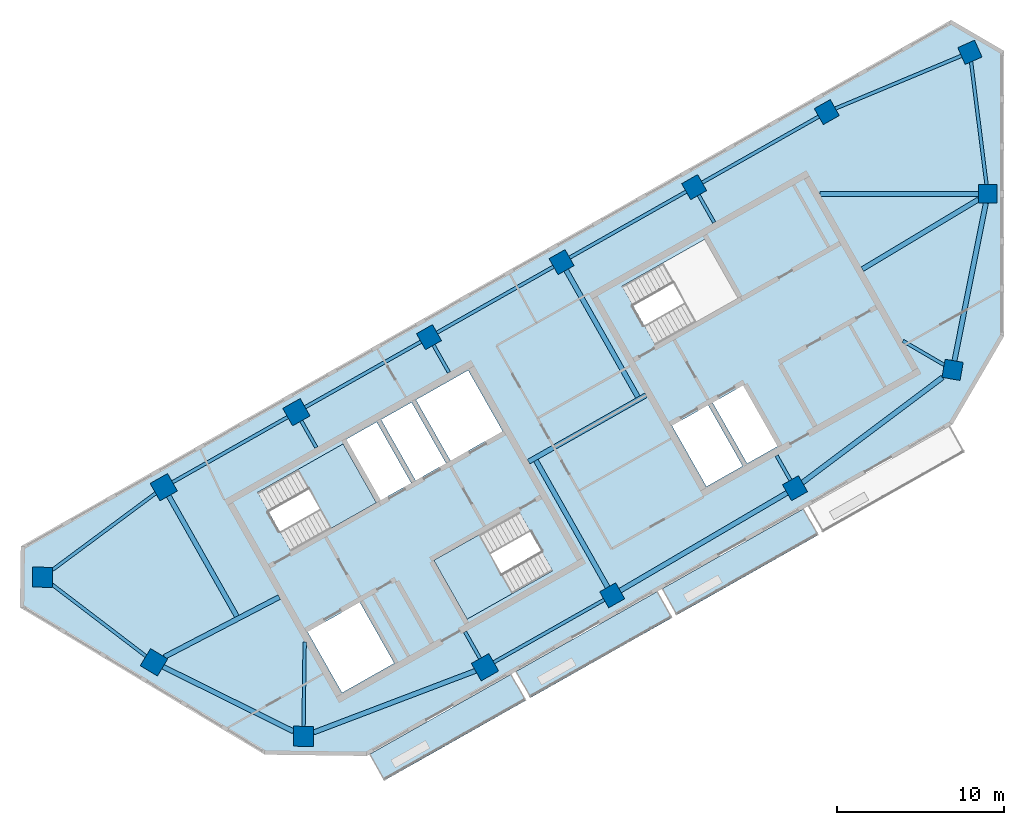
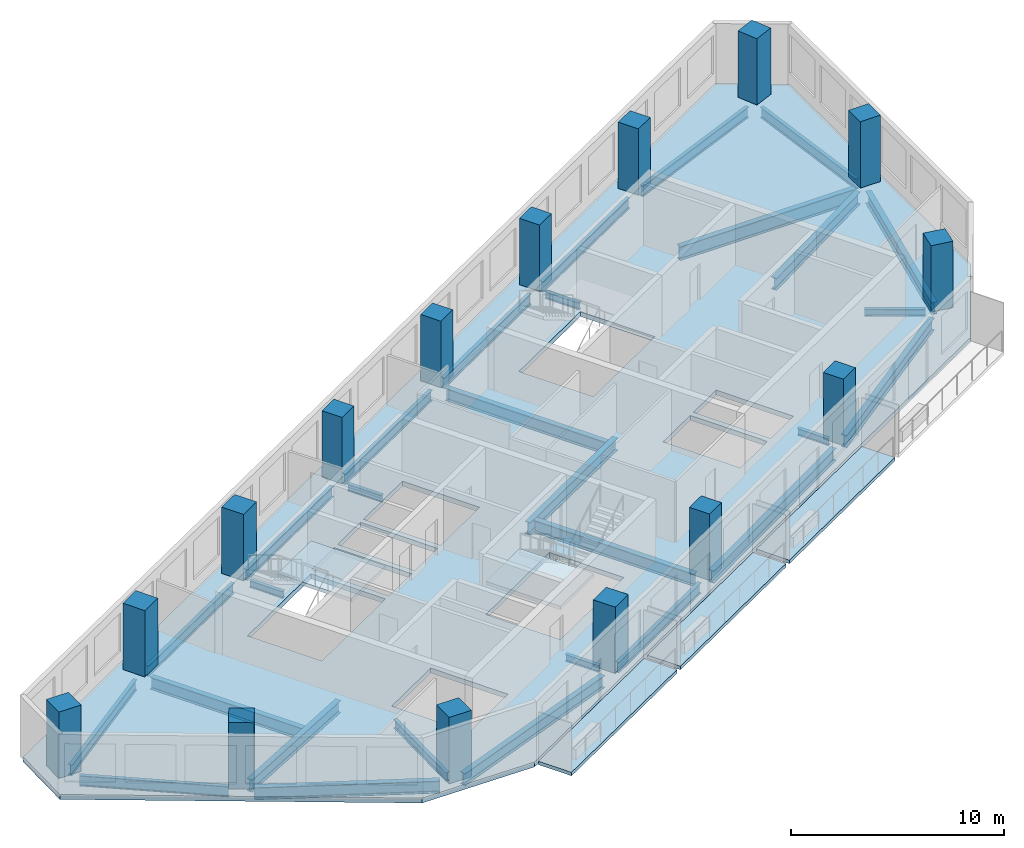
# One storey, part 1 of 7: 29 beams, 15 columns, 6 slabs, 2 elements without a shape of their own.
"""IFC4 building model written with IfcOpenShell, lengths in metres."""

from ifc_helpers import new_model, si_unit, direction, frame, origin, origin_2d, place, context, subcontext, project, spatial, polyline, rectangle, i_section, outline, extrude, material, layer, layer_set, material_profile, profile_set, type_object, element, aggregate, save


model = new_model("IFC4")

# Units and contexts
model_context = context("Model", 3, precision=1e-05, world=origin(), true_north=direction((0.0, 1.0)))
body_context = subcontext(model_context, "Body", "Model", "MODEL_VIEW")
ifc_project = project(units=[si_unit("LENGTHUNIT", "METRE"), si_unit("AREAUNIT", "SQUARE_METRE"), si_unit("VOLUMEUNIT", "CUBIC_METRE"), si_unit("PLANEANGLEUNIT", "RADIAN"), si_unit("MASSUNIT", "GRAM", prefix="KILO")], contexts=[model_context])

# Site, building, storey
site_placement = place(None, origin())
site = spatial("IfcSite", under=ifc_project, at=site_placement, CompositionType="ELEMENT")
building_placement = place(site_placement, origin())
building = spatial("IfcBuilding", under=site, at=building_placement, Name="Binnacle Exchange Tower", CompositionType="ELEMENT")
storey_placement = place(building_placement, frame((0.0, 0.0, 274.10009765625)))
storey = spatial("IfcBuildingStorey", under=building, at=storey_placement, Name="L61", CompositionType="ELEMENT", Elevation=274.10009765625)

# Columns
ifc_material_1 = material(Name="Concrete C60/75", Category="concrete")
ifc_material_profile_1 = material_profile(ifc_material_1, rectangle(XDim=1.10009765625, YDim=1.10009765625, at=origin_2d()), Name="Mega column 1100x1100 C60/75")
ifc_profile_set_1 = profile_set([ifc_material_profile_1], Name="Concrete C60/75")
column_type_1 = type_object("IfcColumnType", Name="Mega column 1100x1100 C60/75", PredefinedType="COLUMN", material=ifc_profile_set_1)
for number, where, z_axis, x_axis, name in (
    (1, (-10.4951171875, 64.901611328125, 0.0), (0.0, 0.0, 1.0), (-0.87035569594, -0.492423560103, 0.0), "S:COL:MC38:L61"),
    (2, (-18.44140625, 60.406005859375, 0.0), (0.0, 0.0, 1.0), (-0.87035569594, -0.492423560103, 0.0), "S:COL:MC29:L61"),
    (3, (-26.3876953125, 55.91015625, 0.0), (0.0, 0.0, 1.0), (-0.87035569594, -0.492423560103, 0.0), "S:COL:MC21:L61"),
    (4, (-34.333740234375, 51.414306640625, 0.0), (0.0, 0.0, 1.0), (-0.87035569594, -0.492423560103, 0.0), "S:COL:MC13:L61"),
    (5, (-23.35595703125, 35.9462890625, 0.0), (0.0, 0.0, 1.0), (0.87035569594, 0.492423560103, 0.0), "S:COL:MC16:L61"),
    (6, (-2.955322265625, 49.45556640625, 0.0), (0.0, 0.0, 1.0), (-0.98522612636, 0.171258517854, 0.0), "S:COL:MC43:L61"),
    (7, (-0.85009765625, 60.0, 0.0), (0.0, 0.0, 1.0), (0.0, 1.0, 0.0), "S:COL:MC45:L61"),
    (8, (-1.920166015625, 68.4833984375, 0.0), (0.0, 0.0, 1.0), (-0.91471298536, -0.40410413808, 0.0), "S:COL:MC44:L61"),
    (9, (-12.39990234375, 42.36328125, 0.0), (0.0, 0.0, 1.0), (0.87035569594, 0.492423560103, 0.0), "S:COL:MC30:L61"),
):
    element("IfcColumn", number, at=place(storey_placement, frame(where, z_axis=z_axis, x_axis=x_axis)), inside=storey, type_object=column_type_1, Name=name, PredefinedType="COLUMN", context=body_context, shape_type="SweptSolid", body=[
        extrude(rectangle(XDim=1.10009765625, YDim=1.10009765625, at=origin_2d()), origin(), (0.0, 0.0, 1.0), 3.7998046875),
    ])
ifc_material_profile_2 = material_profile(ifc_material_1, rectangle(XDim=1.199951171875, YDim=1.199951171875, at=origin_2d()), Name="Mega column 1200x1200 C60/75")
ifc_profile_set_2 = profile_set([ifc_material_profile_2], Name="Concrete C60/75")
column_type_2 = type_object("IfcColumnType", Name="Mega column 1200x1200 C60/75", PredefinedType="COLUMN", material=ifc_profile_set_2)
for number, where, z_axis, x_axis, name in (
    (10, (-42.280029296875, 46.918701171875, 0.0), (0.0, 0.0, 1.0), (-0.87035569594, -0.492423560103, 0.0), "S:COL:MC08:L61"),
    (11, (-50.226318359375, 42.4228515625, 0.0), (0.0, 0.0, 1.0), (-0.87035569594, -0.492423560103, 0.0), "S:COL:MC04:L61"),
    (12, (-57.492919921875, 37.02734375, 0.0), (0.0, 0.0, 1.0), (-0.013089595571, -0.999914327574, 0.0), "S:COL:MC02:L61"),
    (13, (-50.81201171875, 31.930908203125, 0.0), (0.0, 0.0, 1.0), (0.857167300702, -0.51503807491, 0.0), "S:COL:MC01:L61"),
    (14, (-41.857666015625, 27.494873046875, 0.0), (0.0, 0.0, 1.0), (0.999914327574, -0.013089595571, 0.0), "S:COL:MC03:L61"),
    (15, (-30.9755859375, 31.63525390625, 0.0), (0.0, 0.0, 1.0), (0.87035569594, 0.492423560103, 0.0), "S:COL:MC07:L61"),
):
    element("IfcColumn", number, at=place(storey_placement, frame(where, z_axis=z_axis, x_axis=x_axis)), inside=storey, type_object=column_type_2, Name=name, PredefinedType="COLUMN", context=body_context, shape_type="SweptSolid", body=[
        extrude(rectangle(XDim=1.199951171875, YDim=1.199951171875, at=origin_2d()), origin(), (0.0, 0.0, 1.0), 3.7998046875),
    ])

# Beams
ifc_material_2 = material(Name="Steel S355 (SHN355)", Category="steel")
ifc_material_profile_3 = material_profile(ifc_material_2, i_section(OverallWidth=0.199951171875, OverallDepth=0.60009765625, WebThickness=0.010986328125, FlangeThickness=0.01708984375, FilletRadius=0.02197265625, at=origin_2d()), Name="H 600x200x11x17")
ifc_profile_set_3 = profile_set([ifc_material_profile_3], Name="Steel S355 (SHN355)")
beam_type_1 = type_object("IfcBeamType", Name="Edge girder H 600x200x11x17 Steel S355 (SHN355)", PredefinedType="SPANDREL", material=ifc_profile_set_3)
beam_1_placement = place(storey_placement, frame((-56.89892578125, 36.57421875, -0.580078125), z_axis=(0.795079526259, -0.606505191176, 0.0), x_axis=(0.606505191176, 0.795079526259, 0.0)))
element("IfcBeam", 16, at=beam_1_placement, inside=storey, type_object=beam_type_1, Name="S:BM:edge:L61:004", PredefinedType="SPANDREL", context=body_context, shape_type="SweptSolid", body=[
    extrude(i_section(OverallWidth=0.199951171875, OverallDepth=0.60009765625, WebThickness=0.010986328125, FlangeThickness=0.01708984375, FilletRadius=0.02197265625, at=origin_2d()), origin(), (0.0, 0.0, 1.0), 7.052001953125),
])
ifc_material_profile_4 = material_profile(ifc_material_2, i_section(OverallWidth=0.200927734375, OverallDepth=0.60595703125, WebThickness=0.011962890625, FlangeThickness=0.02001953125, FilletRadius=0.02197265625, at=origin_2d()), Name="H 606x201x12x20")
ifc_profile_set_4 = profile_set([ifc_material_profile_4], Name="Steel S355 (SHN355)")
beam_type_2 = type_object("IfcBeamType", Name="Edge girder H 606x201x12x20 Steel S355 (SHN355)", PredefinedType="SPANDREL", material=ifc_profile_set_4)
beam_2_placement = place(storey_placement, frame((-50.711669921875, 42.0625, -0.5830078125), z_axis=(-0.802889255085, -0.596128211099, 0.0), x_axis=(0.596128211099, -0.802889255085, 0.0)))
element("IfcBeam", 17, at=beam_2_placement, inside=storey, type_object=beam_type_2, Name="S:BM:edge:L61:005", PredefinedType="SPANDREL", context=body_context, shape_type="SweptSolid", body=[
    extrude(i_section(OverallWidth=0.200927734375, OverallDepth=0.60595703125, WebThickness=0.011962890625, FlangeThickness=0.02001953125, FilletRadius=0.02197265625, at=origin_2d()), origin(), (0.0, 0.0, 1.0), 7.691650390625),
])
beam_3_placement = place(storey_placement, frame((-30.453369140625, 31.930908203125, -0.5830078125), z_axis=(0.870370831478, 0.49239680717, 0.0), x_axis=(-0.49239680717, 0.870370831478, 0.0)))
element("IfcBeam", 18, at=beam_3_placement, inside=storey, type_object=beam_type_2, Name="S:BM:edge:L61:010", PredefinedType="SPANDREL", context=body_context, shape_type="SweptSolid", body=[
    extrude(i_section(OverallWidth=0.200927734375, OverallDepth=0.60595703125, WebThickness=0.011962890625, FlangeThickness=0.02001953125, FilletRadius=0.02197265625, at=origin_2d()), origin(), (0.0, 0.0, 1.0), 7.6044921875),
])
beam_4_placement = place(storey_placement, frame((-0.91943359375, 60.550048828125, -0.5830078125), z_axis=(-0.125160121745, 0.992136555079, 0.0), x_axis=(-0.992136555079, -0.125160121745, 0.0)))
element("IfcBeam", 19, at=beam_4_placement, inside=storey, type_object=beam_type_2, Name="S:BM:edge:L61:018", PredefinedType="SPANDREL", context=body_context, shape_type="SweptSolid", body=[
    extrude(i_section(OverallWidth=0.200927734375, OverallDepth=0.60595703125, WebThickness=0.011962890625, FlangeThickness=0.02001953125, FilletRadius=0.02197265625, at=origin_2d()), origin(), (0.0, 0.0, 1.0), 7.422119140625),
])
ifc_material_profile_5 = material_profile(ifc_material_2, i_section(OverallWidth=0.201904296875, OverallDepth=0.612060546875, WebThickness=0.012939453125, FlangeThickness=0.02294921875, FilletRadius=0.02197265625, at=origin_2d()), Name="H 612x202x13x23")
ifc_profile_set_5 = profile_set([ifc_material_profile_5], Name="Steel S355 (SHN355)")
beam_type_3 = type_object("IfcBeamType", Name="Edge girder H 612x202x13x23 Steel S355 (SHN355)", PredefinedType="SPANDREL", material=ifc_profile_set_5)
beam_5_placement = place(storey_placement, frame((-42.80224609375, 46.623291015625, -0.586181640625), z_axis=(-0.870360926906, -0.492414314288, 0.0), x_axis=(0.492414314288, -0.870360926906, 0.0)))
element("IfcBeam", 20, at=beam_5_placement, inside=storey, type_object=beam_type_3, Name="S:BM:edge:L61:007", PredefinedType="SPANDREL", context=body_context, shape_type="SweptSolid", body=[
    extrude(i_section(OverallWidth=0.201904296875, OverallDepth=0.612060546875, WebThickness=0.012939453125, FlangeThickness=0.02294921875, FilletRadius=0.02197265625, at=origin_2d()), origin(), (0.0, 0.0, 1.0), 7.929931640625),
])
beam_6_placement = place(storey_placement, frame((-34.8125, 51.1435546875, -0.586181640625), z_axis=(-0.870357059543, -0.492421149935, 0.0), x_axis=(0.492421149935, -0.870357059543, 0.0)))
element("IfcBeam", 21, at=beam_6_placement, inside=storey, type_object=beam_type_3, Name="S:BM:edge:L61:009", PredefinedType="SPANDREL", context=body_context, shape_type="SweptSolid", body=[
    extrude(i_section(OverallWidth=0.201904296875, OverallDepth=0.612060546875, WebThickness=0.012939453125, FlangeThickness=0.02294921875, FilletRadius=0.02197265625, at=origin_2d()), origin(), (0.0, 0.0, 1.0), 7.979736328125),
])
beam_7_placement = place(storey_placement, frame((-26.8662109375, 55.639404296875, -0.586181640625), z_axis=(-0.870353240257, -0.492427900482, 0.0), x_axis=(0.492427900482, -0.870353240257, 0.0)))
element("IfcBeam", 22, at=beam_7_placement, inside=storey, type_object=beam_type_3, Name="S:BM:edge:L61:011", PredefinedType="SPANDREL", context=body_context, shape_type="SweptSolid", body=[
    extrude(i_section(OverallWidth=0.201904296875, OverallDepth=0.612060546875, WebThickness=0.012939453125, FlangeThickness=0.02294921875, FilletRadius=0.02197265625, at=origin_2d()), origin(), (0.0, 0.0, 1.0), 8.02978515625),
])
beam_8_placement = place(storey_placement, frame((-18.919921875, 60.13525390625, -0.586181640625), z_axis=(-0.870347582166, -0.492437900875, 0.0), x_axis=(0.492437900875, -0.870347582166, 0.0)))
element("IfcBeam", 23, at=beam_8_placement, inside=storey, type_object=beam_type_3, Name="S:BM:edge:L61:013", PredefinedType="SPANDREL", context=body_context, shape_type="SweptSolid", body=[
    extrude(i_section(OverallWidth=0.201904296875, OverallDepth=0.612060546875, WebThickness=0.012939453125, FlangeThickness=0.02294921875, FilletRadius=0.02197265625, at=origin_2d()), origin(), (0.0, 0.0, 1.0), 8.030029296875),
])
beam_9_placement = place(storey_placement, frame((-10.973876953125, 64.630859375, -0.586181640625), z_axis=(-0.870353240257, -0.492427900482, 0.0), x_axis=(0.492427900482, -0.870353240257, 0.0)))
element("IfcBeam", 24, at=beam_9_placement, inside=storey, type_object=beam_type_3, Name="S:BM:edge:L61:015", PredefinedType="SPANDREL", context=body_context, shape_type="SweptSolid", body=[
    extrude(i_section(OverallWidth=0.201904296875, OverallDepth=0.612060546875, WebThickness=0.012939453125, FlangeThickness=0.02294921875, FilletRadius=0.02197265625, at=origin_2d()), origin(), (0.0, 0.0, 1.0), 8.02978515625),
])
beam_10_placement = place(storey_placement, frame((-2.427734375, 68.271240234375, -0.586181640625), z_axis=(-0.922746687756, -0.385406992977, 0.0), x_axis=(0.385406992977, -0.922746687756, 0.0)))
element("IfcBeam", 25, at=beam_10_placement, inside=storey, type_object=beam_type_3, Name="S:BM:edge:L61:017", PredefinedType="SPANDREL", context=body_context, shape_type="SweptSolid", body=[
    extrude(i_section(OverallWidth=0.201904296875, OverallDepth=0.612060546875, WebThickness=0.012939453125, FlangeThickness=0.02294921875, FilletRadius=0.02197265625, at=origin_2d()), origin(), (0.0, 0.0, 1.0), 8.188720703125),
])
ifc_material_profile_6 = material_profile(ifc_material_2, i_section(OverallWidth=0.300048828125, OverallDepth=0.699951171875, WebThickness=0.012939453125, FlangeThickness=0.02392578125, FilletRadius=0.028076171875, at=origin_2d()), Name="H 700x300x13x24")
ifc_profile_set_6 = profile_set([ifc_material_profile_6], Name="Steel S355 (SHN355)")
beam_type_4 = type_object("IfcBeamType", Name="Edge girder H 700x300x13x24 Steel S355 (SHN355)", PredefinedType="SPANDREL", material=ifc_profile_set_6)
beam_11_placement = place(storey_placement, frame((-50.272705078125, 31.663818359375, -0.630126953125), z_axis=(0.896066323919, -0.443920199066, 0.0), x_axis=(0.443920199066, 0.896066323919, 0.0)))
element("IfcBeam", 26, at=beam_11_placement, inside=storey, type_object=beam_type_4, Name="S:BM:edge:L61:006", PredefinedType="SPANDREL", context=body_context, shape_type="SweptSolid", body=[
    extrude(i_section(OverallWidth=0.300048828125, OverallDepth=0.699951171875, WebThickness=0.012939453125, FlangeThickness=0.02392578125, FilletRadius=0.028076171875, at=origin_2d()), origin(), (0.0, 0.0, 1.0), 8.725830078125),
])
beam_12_placement = place(storey_placement, frame((-41.254638671875, 27.724365234375, -0.630126953125), z_axis=(0.934635421438, 0.355607408519, 0.0), x_axis=(-0.355607408519, 0.934635421438, 0.0)))
element("IfcBeam", 27, at=beam_12_placement, inside=storey, type_object=beam_type_4, Name="S:BM:edge:L61:008", PredefinedType="SPANDREL", context=body_context, shape_type="SweptSolid", body=[
    extrude(i_section(OverallWidth=0.300048828125, OverallDepth=0.699951171875, WebThickness=0.012939453125, FlangeThickness=0.02392578125, FilletRadius=0.028076171875, at=origin_2d()), origin(), (0.0, 0.0, 1.0), 10.390869140625),
])
beam_13_placement = place(storey_placement, frame((-11.95654296875, 42.6962890625, -0.630126953125), z_axis=(0.799642767002, 0.600476015493, 0.0), x_axis=(-0.600476015493, 0.799642767002, 0.0)))
element("IfcBeam", 28, at=beam_13_placement, inside=storey, type_object=beam_type_4, Name="S:BM:edge:L61:014", PredefinedType="SPANDREL", context=body_context, shape_type="SweptSolid", body=[
    extrude(i_section(OverallWidth=0.300048828125, OverallDepth=0.699951171875, WebThickness=0.012939453125, FlangeThickness=0.02392578125, FilletRadius=0.028076171875, at=origin_2d()), origin(), (0.0, 0.0, 1.0), 10.50146484375),
])
beam_14_placement = place(storey_placement, frame((-2.84765625, 49.9951171875, -0.630126953125), z_axis=(0.195814210945, 0.980641012191, 0.0), x_axis=(-0.980641012191, 0.195814210945, 0.0)))
element("IfcBeam", 29, at=beam_14_placement, inside=storey, type_object=beam_type_4, Name="S:BM:edge:L61:016", PredefinedType="SPANDREL", context=body_context, shape_type="SweptSolid", body=[
    extrude(i_section(OverallWidth=0.300048828125, OverallDepth=0.699951171875, WebThickness=0.012939453125, FlangeThickness=0.02392578125, FilletRadius=0.028076171875, at=origin_2d()), origin(), (0.0, 0.0, 1.0), 9.6416015625),
])
ifc_material_profile_7 = material_profile(ifc_material_2, i_section(OverallWidth=0.302001953125, OverallDepth=0.7080078125, WebThickness=0.014892578125, FlangeThickness=0.028076171875, FilletRadius=0.028076171875, at=origin_2d()), Name="H 708x302x15x28")
ifc_profile_set_7 = profile_set([ifc_material_profile_7], Name="Steel S355 (SHN355)")
beam_type_5 = type_object("IfcBeamType", Name="Edge girder H 708x302x15x28 Steel S355 (SHN355)", PredefinedType="SPANDREL", material=ifc_profile_set_7)
beam_15_placement = place(storey_placement, frame((-22.88134765625, 36.22412109375, -0.634033203125), z_axis=(0.86288572191, 0.50539908085, 0.0), x_axis=(-0.50539908085, 0.86288572191, 0.0)))
element("IfcBeam", 30, at=beam_15_placement, inside=storey, type_object=beam_type_5, Name="S:BM:edge:L61:012", PredefinedType="SPANDREL", context=body_context, shape_type="SweptSolid", body=[
    extrude(i_section(OverallWidth=0.302001953125, OverallDepth=0.7080078125, WebThickness=0.014892578125, FlangeThickness=0.028076171875, FilletRadius=0.028076171875, at=origin_2d()), origin(), (0.0, 0.0, 1.0), 11.596923828125),
])
ifc_material_profile_8 = material_profile(ifc_material_2, i_section(OverallWidth=0.199951171875, OverallDepth=0.39990234375, WebThickness=0.008056640625, FlangeThickness=0.012939453125, FilletRadius=0.01611328125, at=origin_2d()), Name="H 400x200x8x13")
ifc_profile_set_8 = profile_set([ifc_material_profile_8], Name="Steel S355 (SHN355)")
beam_type_6 = type_object("IfcBeamType", Name="Floor beam H 400x200x8x13 Steel S355 (SHN355)", PredefinedType="BEAM", material=ifc_profile_set_8)
beam_16_placement = place(storey_placement, frame((-41.984619140625, 46.396484375, -0.47998046875), z_axis=(0.492465079532, -0.87033220407, 0.0), x_axis=(0.87033220407, 0.492465079532, 0.0)))
element("IfcBeam", 31, at=beam_16_placement, inside=storey, type_object=beam_type_6, Name="S:BM:cross:L61:020", PredefinedType="BEAM", context=body_context, shape_type="SweptSolid", body=[
    extrude(i_section(OverallWidth=0.199951171875, OverallDepth=0.39990234375, WebThickness=0.008056640625, FlangeThickness=0.012939453125, FilletRadius=0.01611328125, at=origin_2d()), origin(), (0.0, 0.0, 1.0), 1.834228515625),
])
beam_17_placement = place(storey_placement, frame((-34.06298828125, 50.935791015625, -0.47998046875), z_axis=(0.492437150105, -0.870348006947, 0.0), x_axis=(0.870348006947, 0.492437150105, 0.0)))
element("IfcBeam", 32, at=beam_17_placement, inside=storey, type_object=beam_type_6, Name="S:BM:cross:L61:022", PredefinedType="BEAM", context=body_context, shape_type="SweptSolid", body=[
    extrude(i_section(OverallWidth=0.199951171875, OverallDepth=0.39990234375, WebThickness=0.008056640625, FlangeThickness=0.012939453125, FilletRadius=0.01611328125, at=origin_2d()), origin(), (0.0, 0.0, 1.0), 1.884521484375),
])
beam_18_placement = place(storey_placement, frame((-31.27099609375, 32.157470703125, -0.47998046875), z_axis=(-0.492465079532, 0.87033220407, 0.0), x_axis=(-0.87033220407, -0.492465079532, 0.0)))
element("IfcBeam", 33, at=beam_18_placement, inside=storey, type_object=beam_type_6, Name="S:BM:cross:L61:023", PredefinedType="BEAM", context=body_context, shape_type="SweptSolid", body=[
    extrude(i_section(OverallWidth=0.199951171875, OverallDepth=0.39990234375, WebThickness=0.008056640625, FlangeThickness=0.012939453125, FilletRadius=0.01611328125, at=origin_2d()), origin(), (0.0, 0.0, 1.0), 1.834228515625),
])
beam_19_placement = place(storey_placement, frame((-18.17041015625, 59.92724609375, -0.47998046875), z_axis=(0.492394529663, -0.870372119934, 0.0), x_axis=(0.870372119934, 0.492394529663, 0.0)))
element("IfcBeam", 34, at=beam_19_placement, inside=storey, type_object=beam_type_6, Name="S:BM:cross:L61:026", PredefinedType="BEAM", context=body_context, shape_type="SweptSolid", body=[
    extrude(i_section(OverallWidth=0.199951171875, OverallDepth=0.39990234375, WebThickness=0.008056640625, FlangeThickness=0.012939453125, FilletRadius=0.01611328125, at=origin_2d()), origin(), (0.0, 0.0, 1.0), 1.884033203125),
])
beam_20_placement = place(storey_placement, frame((-12.6708984375, 42.841796875, -0.47998046875), z_axis=(-0.492394350893, 0.870372221069, 0.0), x_axis=(-0.870372221069, -0.492394350893, 0.0)))
element("IfcBeam", 35, at=beam_20_placement, inside=storey, type_object=beam_type_6, Name="S:BM:cross:L61:027", PredefinedType="BEAM", context=body_context, shape_type="SweptSolid", body=[
    extrude(i_section(OverallWidth=0.199951171875, OverallDepth=0.39990234375, WebThickness=0.008056640625, FlangeThickness=0.012939453125, FilletRadius=0.01611328125, at=origin_2d()), origin(), (0.0, 0.0, 1.0), 1.6943359375),
])
beam_21_placement = place(storey_placement, frame((-3.46240234375, 49.751220703125, -0.47998046875), z_axis=(-0.863840862356, 0.503764790874, 0.0), x_axis=(-0.503764790874, -0.863840862356, 0.0)))
element("IfcBeam", 36, at=beam_21_placement, inside=storey, type_object=beam_type_6, Name="S:BM:cross:L61:028", PredefinedType="BEAM", context=body_context, shape_type="SweptSolid", body=[
    extrude(i_section(OverallWidth=0.199951171875, OverallDepth=0.39990234375, WebThickness=0.008056640625, FlangeThickness=0.012939453125, FilletRadius=0.01611328125, at=origin_2d()), origin(), (0.0, 0.0, 1.0), 2.85791015625),
])
ifc_material_profile_9 = material_profile(ifc_material_2, i_section(OverallWidth=0.200927734375, OverallDepth=0.506103515625, WebThickness=0.010986328125, FlangeThickness=0.01904296875, FilletRadius=0.02001953125, at=origin_2d()), Name="H 506x201x11x19")
ifc_profile_set_9 = profile_set([ifc_material_profile_9], Name="Steel S355 (SHN355)")
beam_type_7 = type_object("IfcBeamType", Name="Floor beam H 506x201x11x19 Steel S355 (SHN355)", PredefinedType="BEAM", material=ifc_profile_set_9)
beam_22_placement = place(storey_placement, frame((-41.849853515625, 28.0947265625, -0.533203125), z_axis=(0.013099523714, 0.999914197558, 0.0), x_axis=(-0.999914197558, 0.013099523714, 0.0)))
element("IfcBeam", 37, at=beam_22_placement, inside=storey, type_object=beam_type_7, Name="S:BM:cross:L61:021", PredefinedType="BEAM", context=body_context, shape_type="SweptSolid", body=[
    extrude(i_section(OverallWidth=0.200927734375, OverallDepth=0.506103515625, WebThickness=0.010986328125, FlangeThickness=0.01904296875, FilletRadius=0.02001953125, at=origin_2d()), origin(), (0.0, 0.0, 1.0), 5.05078125),
])
ifc_material_profile_10 = material_profile(ifc_material_2, i_section(OverallWidth=0.300048828125, OverallDepth=0.699951171875, WebThickness=0.012939453125, FlangeThickness=0.02392578125, FilletRadius=0.028076171875, at=origin_2d()), Name="H 700x300x13x24")
ifc_profile_set_10 = profile_set([ifc_material_profile_10], Name="Steel S355 (SHN355)")
beam_type_8 = type_object("IfcBeamType", Name="Floor beam H 700x300x13x24 Steel S355 (SHN355)", PredefinedType="BEAM", material=ifc_profile_set_10)
beam_23_placement = place(storey_placement, frame((-49.9306640625, 41.900634765625, -0.630126953125), z_axis=(0.492421066821, -0.870357106566, 0.0), x_axis=(0.870357106566, 0.492421066821, 0.0)))
element("IfcBeam", 38, at=beam_23_placement, inside=storey, type_object=beam_type_8, Name="S:BM:cross:L61:019", PredefinedType="BEAM", context=body_context, shape_type="SweptSolid", body=[
    extrude(i_section(OverallWidth=0.300048828125, OverallDepth=0.699951171875, WebThickness=0.012939453125, FlangeThickness=0.02392578125, FilletRadius=0.028076171875, at=origin_2d()), origin(), (0.0, 0.0, 1.0), 8.291259765625),
])
ifc_material_profile_11 = material_profile(ifc_material_2, i_section(OverallWidth=0.302001953125, OverallDepth=0.7080078125, WebThickness=0.014892578125, FlangeThickness=0.028076171875, FilletRadius=0.028076171875, at=origin_2d()), Name="H 708x302x15x28")
ifc_profile_set_11 = profile_set([ifc_material_profile_11], Name="Steel S355 (SHN355)")
beam_type_9 = type_object("IfcBeamType", Name="Floor beam H 708x302x15x28 Steel S355 (SHN355)", PredefinedType="BEAM", material=ifc_profile_set_11)
beam_24_placement = place(storey_placement, frame((-26.11669921875, 55.431396484375, -0.634033203125), z_axis=(0.492413671625, -0.870361290497, 0.0), x_axis=(0.870361290497, 0.492413671625, 0.0)))
element("IfcBeam", 39, at=beam_24_placement, inside=storey, type_object=beam_type_9, Name="S:BM:cross:L61:024", PredefinedType="BEAM", context=body_context, shape_type="SweptSolid", body=[
    extrude(i_section(OverallWidth=0.302001953125, OverallDepth=0.7080078125, WebThickness=0.014892578125, FlangeThickness=0.028076171875, FilletRadius=0.028076171875, at=origin_2d()), origin(), (0.0, 0.0, 1.0), 8.734130859375),
])
beam_25_placement = place(storey_placement, frame((-23.626708984375, 36.4248046875, -0.634033203125), z_axis=(-0.492422866295, 0.870356088477, 0.0), x_axis=(-0.870356088477, -0.492422866295, 0.0)))
element("IfcBeam", 40, at=beam_25_placement, inside=storey, type_object=beam_type_9, Name="S:BM:cross:L61:025", PredefinedType="BEAM", context=body_context, shape_type="SweptSolid", body=[
    extrude(i_section(OverallWidth=0.302001953125, OverallDepth=0.7080078125, WebThickness=0.014892578125, FlangeThickness=0.028076171875, FilletRadius=0.028076171875, at=origin_2d()), origin(), (0.0, 0.0, 1.0), 8.734375),
])
ifc_material_profile_12 = material_profile(ifc_material_2, i_section(OverallWidth=0.300048828125, OverallDepth=0.800048828125, WebThickness=0.013916015625, FlangeThickness=0.02587890625, FilletRadius=0.028076171875, at=origin_2d()), Name="H 800x300x14x26")
ifc_profile_set_12 = profile_set([ifc_material_profile_12], Name="Steel S355 (SHN355)")
beam_type_10 = type_object("IfcBeamType", Name="Floor beam H 800x300x14x26 Steel S355 (SHN355)", PredefinedType="BEAM", material=ifc_profile_set_12)
beam_26_placement = place(storey_placement, frame((-1.39990234375, 60.0, -0.68017578125), z_axis=(-1.0, 0.0, 0.0), x_axis=(0.0, -1.0, 0.0)))
element("IfcBeam", 41, at=beam_26_placement, inside=storey, type_object=beam_type_10, Name="S:BM:cross:L61:029", PredefinedType="BEAM", context=body_context, shape_type="SweptSolid", body=[
    extrude(i_section(OverallWidth=0.300048828125, OverallDepth=0.800048828125, WebThickness=0.013916015625, FlangeThickness=0.02587890625, FilletRadius=0.028076171875, at=origin_2d()), origin(), (0.0, 0.0, 1.0), 9.51513671875),
])
ifc_material_profile_13 = material_profile(ifc_material_2, i_section(OverallWidth=0.300048828125, OverallDepth=0.699951171875, WebThickness=0.012939453125, FlangeThickness=0.02392578125, FilletRadius=0.028076171875, at=origin_2d()), Name="H 700x300x13x24")
ifc_profile_set_13 = profile_set([ifc_material_profile_13], Name="Steel S355 (SHN355)")
beam_type_11 = type_object("IfcBeamType", Name="Spine girder H 700x300x13x24 Steel S355 (SHN355)", PredefinedType="BEAM", material=ifc_profile_set_13)
beam_27_placement = place(storey_placement, frame((-50.18798828125, 32.255859375, -0.630126953125), z_axis=(0.886980159322, 0.461807532387, 0.0), x_axis=(-0.461807532387, 0.886980159322, 0.0)))
element("IfcBeam", 42, at=beam_27_placement, inside=storey, type_object=beam_type_11, Name="S:BM:spine:L61:001", PredefinedType="BEAM", context=body_context, shape_type="SweptSolid", body=[
    extrude(i_section(OverallWidth=0.300048828125, OverallDepth=0.699951171875, WebThickness=0.012939453125, FlangeThickness=0.02392578125, FilletRadius=0.028076171875, at=origin_2d()), origin(), (0.0, 0.0, 1.0), 7.757080078125),
])
beam_28_placement = place(storey_placement, frame((-8.36328125, 55.489990234375, -0.630126953125), z_axis=(0.857389464427, 0.514668151618, 0.0), x_axis=(-0.514668151618, 0.857389464427, 0.0)))
element("IfcBeam", 43, at=beam_28_placement, inside=storey, type_object=beam_type_11, Name="S:BM:spine:L61:003", PredefinedType="BEAM", context=body_context, shape_type="SweptSolid", body=[
    extrude(i_section(OverallWidth=0.300048828125, OverallDepth=0.699951171875, WebThickness=0.012939453125, FlangeThickness=0.02392578125, FilletRadius=0.028076171875, at=origin_2d()), origin(), (0.0, 0.0, 1.0), 8.12158203125),
])
ifc_material_profile_14 = material_profile(ifc_material_2, i_section(OverallWidth=0.302001953125, OverallDepth=0.7080078125, WebThickness=0.014892578125, FlangeThickness=0.028076171875, FilletRadius=0.028076171875, at=origin_2d()), Name="H 708x302x15x28")
ifc_profile_set_14 = profile_set([ifc_material_profile_14], Name="Steel S355 (SHN355)")
beam_type_12 = type_object("IfcBeamType", Name="Spine girder H 708x302x15x28 Steel S355 (SHN355)", PredefinedType="BEAM", material=ifc_profile_set_14)
beam_29_placement = place(storey_placement, frame((-28.365478515625, 43.951416015625, -0.634033203125), z_axis=(0.870350319004, 0.492433063684, 0.0), x_axis=(-0.492433063684, 0.870350319004, 0.0)))
element("IfcBeam", 44, at=beam_29_placement, inside=storey, type_object=beam_type_12, Name="S:BM:spine:L61:002", PredefinedType="BEAM", context=body_context, shape_type="SweptSolid", body=[
    extrude(i_section(OverallWidth=0.302001953125, OverallDepth=0.7080078125, WebThickness=0.014892578125, FlangeThickness=0.028076171875, FilletRadius=0.028076171875, at=origin_2d()), origin(), (0.0, 0.0, 1.0), 8.0908203125),
])

# Slabs
ifc_material_3 = material(Name="Concrete C35/45", Category="concrete")
ifc_layer_1 = layer(ifc_material_3, 0.199951171875)
ifc_layer_set_1 = layer_set([ifc_layer_1], Name="BALCONY SLAB 200")
slab_type_1 = type_object("IfcSlabType", Name="BALCONY SLAB 200", PredefinedType="FLOOR", material=ifc_layer_set_1)
slab_1_placement = place(storey_placement, frame((0.0, 0.0, -0.2001953125)))
element("IfcSlab", 45, at=slab_1_placement, inside=storey, type_object=slab_type_1, Name="Balcony BA-H07-00 L61", PredefinedType="FLOOR", context=body_context, shape_type="SweptSolid", body=[
    extrude(outline(polyline([(-37.90576171875, 26.410400390625), (-29.40380859375, 31.220458984375), (-28.517578125, 29.65380859375), (-37.019287109375, 24.84375), (-37.90576171875, 26.410400390625)])), origin(), (0.0, 0.0, 1.0), 0.2001953125),
])
slab_2_placement = place(storey_placement, frame((0.0, 0.0, -0.2001953125)))
element("IfcSlab", 46, at=slab_2_placement, inside=storey, type_object=slab_type_1, Name="Balcony BA-H07-01 L61", PredefinedType="FLOOR", context=body_context, shape_type="SweptSolid", body=[
    extrude(outline(polyline([(-29.142822265625, 31.3681640625), (-20.64111328125, 36.17822265625), (-19.754638671875, 34.611572265625), (-28.25634765625, 29.801513671875), (-29.142822265625, 31.3681640625)])), origin(), (0.0, 0.0, 1.0), 0.2001953125),
])
slab_3_placement = place(storey_placement, frame((0.0, 0.0, -0.2001953125)))
element("IfcSlab", 47, at=slab_3_placement, inside=storey, type_object=slab_type_1, Name="Balcony BA-H07-02 L61", PredefinedType="FLOOR", context=body_context, shape_type="SweptSolid", body=[
    extrude(outline(polyline([(-20.3798828125, 36.325927734375), (-11.878173828125, 41.135986328125), (-10.99169921875, 39.5693359375), (-19.493408203125, 34.759521484375), (-20.3798828125, 36.325927734375)])), origin(), (0.0, 0.0, 1.0), 0.2001953125),
])
ifc_layer_2 = layer(ifc_material_3, 0.280029296875)
ifc_layer_set_2 = layer_set([ifc_layer_2], Name="Floor slab 280 Concrete C35/45")
slab_type_2 = type_object("IfcSlabType", Name="Floor slab 280 Concrete C35/45", PredefinedType="FLOOR", material=ifc_layer_set_2)
slab_4_placement = place(storey_placement, frame((0.0, 0.0, -0.280029296875)))
element("IfcSlab", 48, at=slab_4_placement, inside=storey, type_object=slab_type_2, Name="S:SL:L61:01", PredefinedType="FLOOR", context=body_context, shape_type="SweptSolid", body=[
    extrude(outline(polyline([(-38.097900390625, 26.4453125), (-44.14404296875, 26.5244140625), (-58.716064453125, 35.280029296875), (-58.669921875, 38.80615234375), (-3.046142578125, 70.276611328125), (0.0, 68.5), (0.0, 51.5), (-3.046142578125, 46.276611328125), (-38.097900390625, 26.4453125)]), holes=[polyline([(-38.4794921875, 35.529296875), (-41.61279296875, 33.756591796875), (-39.544677734375, 30.10107421875), (-36.411376953125, 31.873779296875), (-38.4794921875, 35.529296875)]), polyline([(-32.04638671875, 34.515625), (-26.9287109375, 37.4111328125), (-28.923095703125, 40.93603515625), (-34.040771484375, 38.04052734375), (-32.04638671875, 34.515625)]), polyline([(-39.480712890625, 45.01611328125), (-44.598388671875, 42.12060546875), (-42.604248046875, 38.595703125), (-37.486572265625, 41.4912109375), (-39.480712890625, 45.01611328125)]), polyline([(-37.4658203125, 46.32861328125), (-39.293701171875, 45.29443359375), (-37.225341796875, 41.638916015625), (-35.397705078125, 42.673095703125), (-37.4658203125, 46.32861328125)]), polyline([(-17.598876953125, 47.343017578125), (-19.77490234375, 46.11181640625), (-17.70654296875, 42.456298828125), (-15.53076171875, 43.6875), (-17.598876953125, 47.343017578125)]), polyline([(-35.376953125, 47.51025390625), (-37.20458984375, 46.476318359375), (-35.136474609375, 42.82080078125), (-33.308837890625, 43.854736328125), (-35.376953125, 47.51025390625)]), polyline([(-15.510009765625, 48.52490234375), (-17.337890625, 47.49072265625), (-15.26953125, 43.835205078125), (-13.44189453125, 44.869384765625), (-15.510009765625, 48.52490234375)]), polyline([(-29.914306640625, 45.775390625), (-31.982666015625, 49.430908203125), (-35.115966796875, 47.657958984375), (-33.047607421875, 44.00244140625), (-29.914306640625, 45.775390625)]), polyline([(-15.822509765625, 53.748046875), (-17.81689453125, 57.27294921875), (-22.760498046875, 54.47607421875), (-20.76611328125, 50.950927734375), (-15.822509765625, 53.748046875)])]), origin(), (0.0, 0.0, 1.0), 0.280029296875),
])

# Stair, slab
stair_type = type_object("IfcStairType", Name="STAIR 22 RISERS 173", PredefinedType="HALF_TURN_STAIR", material=ifc_material_3)
stair_1_placement = place(storey_placement, origin())
stair_1 = element("IfcStair", 49, at=stair_1_placement, inside=storey, type_object=stair_type, Name="L61 Escape stair A1", PredefinedType="HALF_TURN_STAIR")
ifc_layer_3 = layer(ifc_material_3, 0.199951171875)
ifc_layer_set_3 = layer_set([ifc_layer_3], Name="STAIR LANDING 200")
slab_type_3 = type_object("IfcSlabType", Name="STAIR LANDING 200", PredefinedType="LANDING", material=ifc_layer_set_3)
slab_5_placement = place(storey_placement, frame((0.0, 0.0, 1.699951171875)))
slab_5 = element("IfcSlab", 50, at=slab_5_placement, type_object=slab_type_3, Name="STA1 landing 1", PredefinedType="LANDING", context=body_context, shape_type="SweptSolid", body=[
    extrude(outline(polyline([(-40.2021484375, 39.954833984375), (-37.486572265625, 41.4912109375), (-39.48095703125, 45.01611328125), (-42.1962890625, 43.479736328125), (-40.2021484375, 39.954833984375)])), origin(), (0.0, 0.0, 1.0), 0.199951171875),
])
aggregate(stair_1, [slab_5])

stair_2_placement = place(storey_placement, origin())
stair_2 = element("IfcStair", 51, at=stair_2_placement, inside=storey, type_object=stair_type, Name="L61 Escape stair A2", PredefinedType="HALF_TURN_STAIR")
slab_6_placement = place(storey_placement, frame((0.0, 0.0, 1.699951171875)))
slab_6 = element("IfcSlab", 52, at=slab_6_placement, type_object=slab_type_3, Name="STA2 landing 1", PredefinedType="LANDING", context=body_context, shape_type="SweptSolid", body=[
    extrude(outline(polyline([(-31.3251953125, 39.576904296875), (-34.040771484375, 38.04052734375), (-32.04638671875, 34.515625), (-29.330810546875, 36.052001953125), (-31.3251953125, 39.576904296875)])), origin(), (0.0, 0.0, 1.0), 0.199951171875),
])
aggregate(stair_2, [slab_6])

save(model, "model.ifc")
